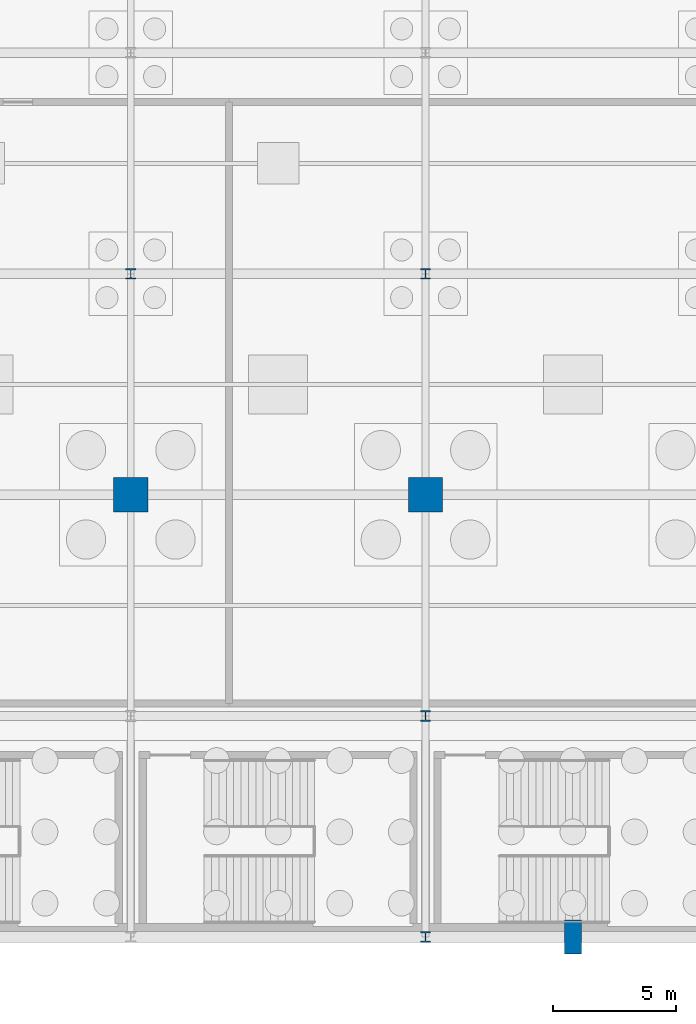
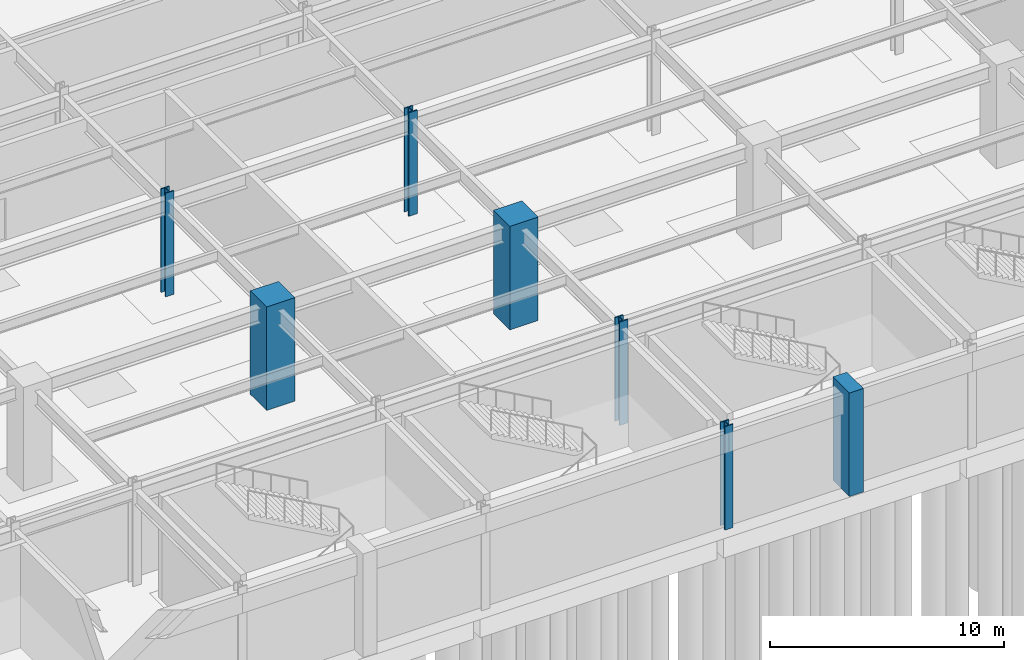
# One storey, part 9 of 47: 7 columns.
"""IFC4 building model written with IfcOpenShell, lengths in metres."""

from ifc_helpers import new_model, si_unit, direction, frame, origin, origin_2d, place, context, subcontext, project, spatial, rectangle, i_section, extrude, material, material_profile, profile_set, type_object, element, save


model = new_model("IFC4")

# Units and contexts
model_context = context("Model", 3, precision=1e-05, world=origin(), true_north=direction((0.0, 1.0)))
body_context = subcontext(model_context, "Body", "Model", "MODEL_VIEW")
ifc_project = project(units=[si_unit("LENGTHUNIT", "METRE"), si_unit("AREAUNIT", "SQUARE_METRE"), si_unit("VOLUMEUNIT", "CUBIC_METRE"), si_unit("PLANEANGLEUNIT", "RADIAN"), si_unit("MASSUNIT", "GRAM", prefix="KILO")], contexts=[model_context])

# Site, building, storey
site_placement = place(None, origin())
site = spatial("IfcSite", under=ifc_project, at=site_placement, CompositionType="ELEMENT")
building_placement = place(site_placement, origin())
building = spatial("IfcBuilding", under=site, at=building_placement, Name="Kaldorvane Square Convention Centre", CompositionType="ELEMENT")
storey_placement = place(building_placement, frame((0.0, 0.0, -5.399993896484375)))
storey = spatial("IfcBuildingStorey", under=building, at=storey_placement, Name="B01", CompositionType="ELEMENT", Elevation=-5.399993896484375)

# Columns
ifc_material_1 = material(Name="Concrete f'c = 55 MPa (Normalweight)", Category="concrete")
ifc_material_profile_1 = material_profile(ifc_material_1, rectangle(XDim=1.399993896484375, YDim=1.399993896484375, at=origin_2d()), Name="RC1400X1400")
ifc_profile_set_1 = profile_set([ifc_material_profile_1], Name="Concrete f'c = 55 MPa (Normalweight)")
column_type_1 = type_object("IfcColumnType", Name="COL-MEGA-1400", PredefinedType="COLUMN", material=ifc_profile_set_1)
for number, where, z_axis, x_axis, name in (
    (1, (42.0, 18.0, 0.0), (0.0, 0.0, 1.0), (1.0, 0.0, 0.0), "Column MC-01 (B01)"),
    (2, (54.0, 18.0, 0.0), (0.0, 0.0, 1.0), (1.0, 0.0, 0.0), "Column MC-01 (B01)"),
):
    element("IfcColumn", number, at=place(storey_placement, frame(where, z_axis=z_axis, x_axis=x_axis)), inside=storey, type_object=column_type_1, Name=name, PredefinedType="COLUMN", context=body_context, shape_type="SweptSolid", body=[
        extrude(rectangle(XDim=1.399993896484375, YDim=1.399993896484375, at=origin_2d()), origin(), (0.0, 0.0, 1.0), 5.399993896484375),
    ])
ifc_material_2 = material(Name="Steel ASTM A992 Gr. 50", Category="steel")
ifc_material_profile_2 = material_profile(ifc_material_2, i_section(OverallWidth=0.412200927734375, OverallDepth=0.4347991943359375, WebThickness=0.035797119140625, FlangeThickness=0.057403564453125, FilletRadius=0.0305023193359375, at=origin_2d()), Name="W14X311")
ifc_profile_set_2 = profile_set([ifc_material_profile_2], Name="Steel ASTM A992 Gr. 50")
column_type_2 = type_object("IfcColumnType", Name="COL-STL-311", PredefinedType="COLUMN", material=ifc_profile_set_2)
for number, where, z_axis, x_axis, name in (
    (3, (42.0, 27.0, 0.0), (0.0, 0.0, 1.0), (1.0, 0.0, 0.0), "Column SC-06 (B01)"),
    (4, (54.0, 0.0, 0.0), (0.0, 0.0, 1.0), (1.0, 0.0, 0.0), "Column SC-06 (B01)"),
    (5, (54.0, 9.0, 0.0), (0.0, 0.0, 1.0), (1.0, 0.0, 0.0), "Column SC-06 (B01)"),
    (6, (54.0, 27.0, 0.0), (0.0, 0.0, 1.0), (1.0, 0.0, 0.0), "Column SC-06 (B01)"),
):
    element("IfcColumn", number, at=place(storey_placement, frame(where, z_axis=z_axis, x_axis=x_axis)), inside=storey, type_object=column_type_2, Name=name, PredefinedType="COLUMN", context=body_context, shape_type="SweptSolid", body=[
        extrude(i_section(OverallWidth=0.412200927734375, OverallDepth=0.4347991943359375, WebThickness=0.035797119140625, FlangeThickness=0.057403564453125, FilletRadius=0.0305023193359375, at=origin_2d()), origin(), (0.0, 0.0, 1.0), 5.399993896484375),
    ])
ifc_material_profile_3 = material_profile(ifc_material_1, rectangle(XDim=0.6999969482421875, YDim=1.399993896484375, at=origin_2d()), Name="PIL1400X700")
ifc_profile_set_3 = profile_set([ifc_material_profile_3], Name="Concrete f'c = 55 MPa (Normalweight)")
column_type_3 = type_object("IfcColumnType", Name="PIL-BRUT-1400", PredefinedType="PILASTER", material=ifc_profile_set_3)
column_placement = place(storey_placement, frame((60.0, 0.0, 0.0), z_axis=(0.0, 0.0, 1.0), x_axis=(1.0, 0.0, 0.0)))
element("IfcColumn", 7, at=column_placement, inside=storey, type_object=column_type_3, Name="Brutalist Colonnade Pilaster (B01)", PredefinedType="PILASTER", context=body_context, shape_type="SweptSolid", body=[
    extrude(rectangle(XDim=0.6999969482421875, YDim=1.399993896484375, at=origin_2d()), origin(), (0.0, 0.0, 1.0), 5.399993896484375),
])

save(model, "model.ifc")
